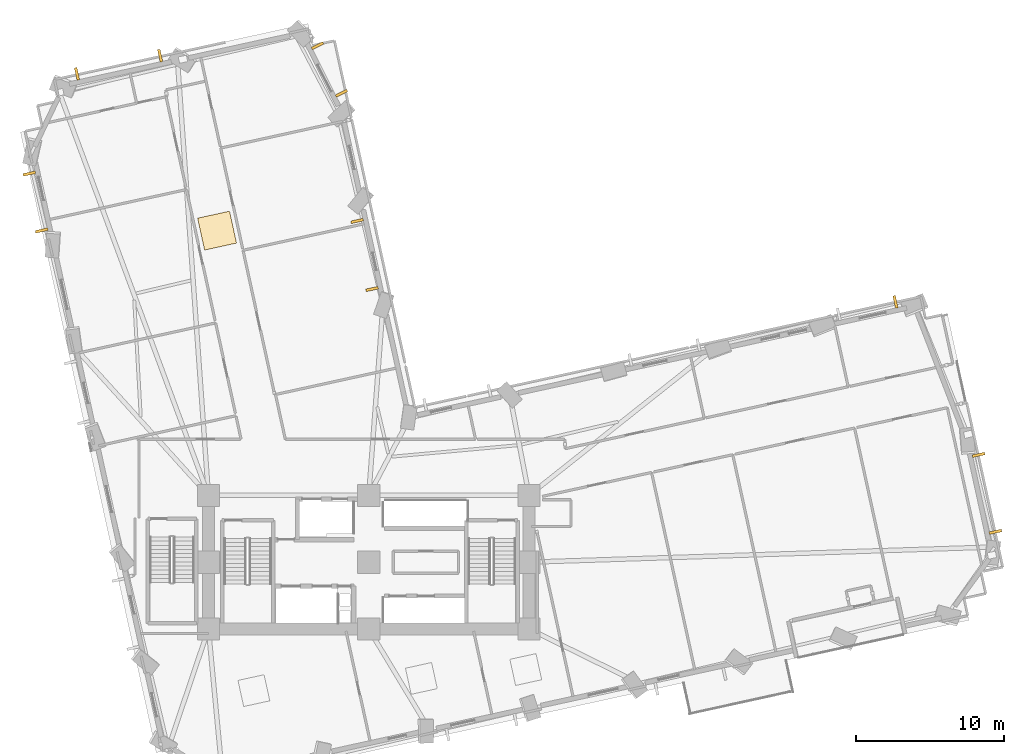
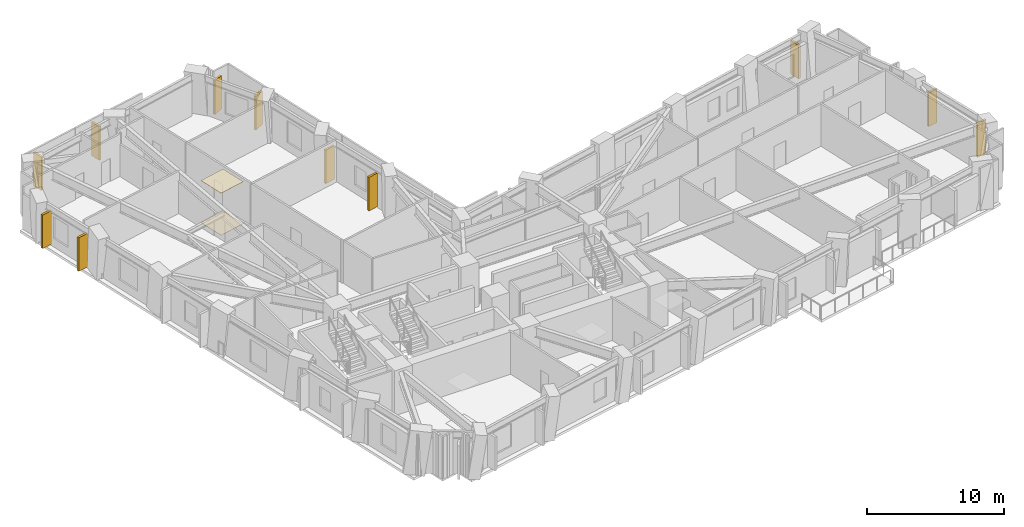
# One storey, part 14 of 14: 11 shading devices, 2 coverings.
"""IFC4 building model written with IfcOpenShell, lengths in metres."""

from ifc_helpers import new_model, si_unit, direction, frame, origin, origin_2d, place, context, subcontext, project, spatial, rectangle, extrude, material, layer, layer_set, type_object, element, save


model = new_model("IFC4")

# Units and contexts
model_context = context("Model", 3, precision=1e-05, world=origin(), true_north=direction((0.0, 1.0)))
body_context = subcontext(model_context, "Body", "Model", "MODEL_VIEW")
ifc_project = project(units=[si_unit("LENGTHUNIT", "METRE"), si_unit("AREAUNIT", "SQUARE_METRE"), si_unit("VOLUMEUNIT", "CUBIC_METRE"), si_unit("PLANEANGLEUNIT", "RADIAN"), si_unit("MASSUNIT", "GRAM", prefix="KILO")], contexts=[model_context])

# Site, building, storey
site_placement = place(None, origin())
site = spatial("IfcSite", under=ifc_project, at=site_placement, CompositionType="ELEMENT")
building_placement = place(site_placement, origin())
building = spatial("IfcBuilding", under=site, at=building_placement, Name="Gaonmaruhae Medical Tower", CompositionType="ELEMENT")
storey_placement = place(building_placement, frame((0.0, 0.0, 75.0)))
storey = spatial("IfcBuildingStorey", under=building, at=storey_placement, Name="L17", CompositionType="ELEMENT", Elevation=75.0)

# Coverings
ifc_material_1 = material(Name="Acoustic mineral ceiling tile", Category="finish")
ifc_layer_1 = layer(ifc_material_1, 0.02490234375)
ifc_layer_set_1 = layer_set([ifc_layer_1], Name="Acoustic mineral ceiling tile")
covering_type_1 = type_object("IfcCoveringType", Name="CLG-01 Antimicrobial Acoustic Mineral Ceiling", PredefinedType="CEILING", material=ifc_layer_set_1)
covering_1_placement = place(storey_placement, frame((14.58056640625, 34.638916015625, 3.755126953125), z_axis=(0.0, 0.0, 1.0), x_axis=(0.976859298345, 0.213882938162, 0.0)))
element("IfcCovering", 1, at=covering_1_placement, inside=storey, type_object=covering_type_1, Name="L17 Clinical Corridor Acoustic Ceiling", PredefinedType="CEILING", context=body_context, shape_type="SweptSolid", body=[
    extrude(rectangle(XDim=2.199951171875, YDim=2.199951171875, at=origin_2d()), origin(), (0.0, 0.0, 1.0), 0.02490234375),
])
ifc_material_2 = material(Name="Seamless clinical vinyl flooring", Category="finish")
ifc_layer_2 = layer(ifc_material_2, 0.014892578125)
ifc_layer_set_2 = layer_set([ifc_layer_2], Name="Seamless clinical vinyl flooring")
covering_type_2 = type_object("IfcCoveringType", Name="FLR-01 Seamless Clinical Antistatic Vinyl Flooring", PredefinedType="FLOORING", material=ifc_layer_set_2)
covering_2_placement = place(storey_placement, frame((14.58056640625, 34.638916015625, 0.00048828125), z_axis=(0.0, 0.0, 1.0), x_axis=(0.976859298345, 0.213882938162, 0.0)))
element("IfcCovering", 2, at=covering_2_placement, inside=storey, type_object=covering_type_2, Name="L17 Clinical Corridor Vinyl Flooring", PredefinedType="FLOORING", context=body_context, shape_type="SweptSolid", body=[
    extrude(rectangle(XDim=2.199951171875, YDim=2.199951171875, at=origin_2d()), origin(), (0.0, 0.0, 1.0), 0.014892578125),
])

# Shading devices
ifc_material_3 = material(Name="Pigmented coral precast concrete C45/55", Category="concrete")
shading_device_type = type_object("IfcShadingDeviceType", Name="SD-FIN1 Tower Vertical Coral Precast Shading Fin", PredefinedType="USERDEFINED", material=ifc_material_3)
for number, where, z_axis, x_axis, name in (
    (3, (65.88916015625, 19.531005859375, 0.08251953125), (0.0, 0.0, 1.0), (0.213882938162, -0.976859298345, 0.0), "L17 Vertical Coral Precast Shading Fin E01"),
    (4, (67.02490234375, 14.34375, 0.08251953125), (0.0, 0.0, 1.0), (0.213882938162, -0.976859298345, 0.0), "L17 Vertical Coral Precast Shading Fin E01B"),
    (5, (60.288330078125, 29.83984375, 0.08251953125), (0.0, 0.0, 1.0), (0.976863031158, 0.213865888718, 0.0), "L17 Vertical Coral Precast Shading Fin E03B"),
    (6, (25.02392578125, 30.703125, 0.08251953125), (0.0, 0.0, 1.0), (-0.213882938162, 0.976859298345, 0.0), "L17 Vertical Coral Precast Shading Fin NE01"),
    (7, (24.01953125, 35.291015625, 0.08251953125), (0.0, 0.0, 1.0), (-0.213882938162, 0.976859298345, 0.0), "L17 Vertical Coral Precast Shading Fin NE01B"),
    (8, (21.35107421875, 47.094482421875, 0.08251953125), (0.0, 0.0, 1.0), (0.449817881222, -0.893120301938, 0.0), "L17 Vertical Coral Precast Shading Fin NE03"),
    (9, (22.96533203125, 43.88916015625, 0.08251953125), (0.0, 0.0, 1.0), (0.449817881222, -0.893120301938, 0.0), "L17 Vertical Coral Precast Shading Fin NE03B"),
    (10, (5.141357421875, 45.2001953125, 0.08251953125), (0.0, 0.0, 1.0), (0.976859298345, 0.213882938162, 0.0), "L17 Vertical Coral Precast Shading Fin N02"),
    (11, (10.743408203125, 46.4267578125, 0.08251953125), (0.0, 0.0, 1.0), (0.976859298345, 0.213882938162, 0.0), "L17 Vertical Coral Precast Shading Fin N02B"),
    (12, (2.764892578125, 34.6494140625, 0.08251953125), (0.0, 0.0, 1.0), (-0.213882938162, 0.976859298345, 0.0), "L17 Vertical Coral Precast Shading Fin W01"),
    (13, (1.92578125, 38.4814453125, 0.08251953125), (0.0, 0.0, 1.0), (-0.213882938162, 0.976859298345, 0.0), "L17 Vertical Coral Precast Shading Fin W01B"),
):
    element("IfcShadingDevice", number, at=place(storey_placement, frame(where, z_axis=z_axis, x_axis=x_axis)), inside=storey, type_object=shading_device_type, Name=name, ObjectType="FIN", PredefinedType="USERDEFINED", context=body_context, shape_type="SweptSolid", body=[
        extrude(rectangle(XDim=0.179931640625, YDim=0.85009765625, at=origin_2d()), origin(), (0.0, 0.0, 1.0), 3.0),
    ])

save(model, "model.ifc")
